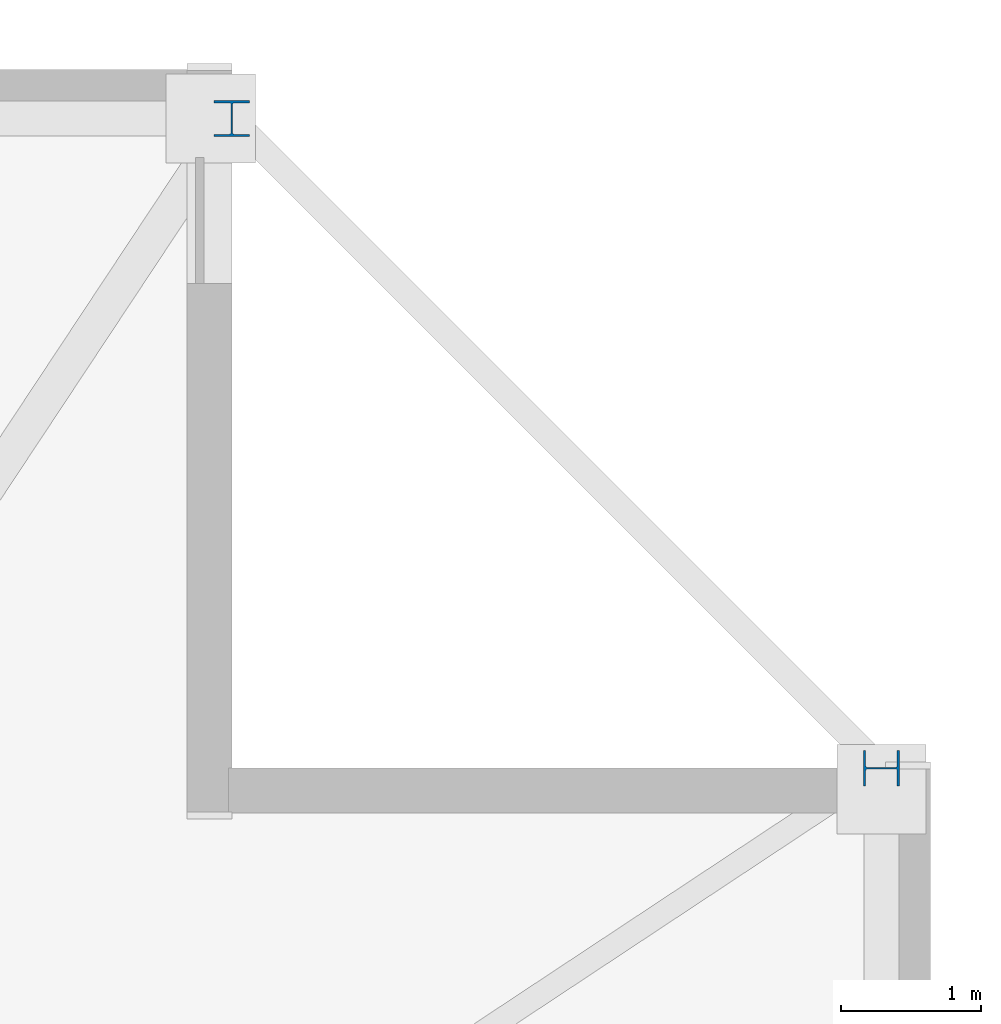
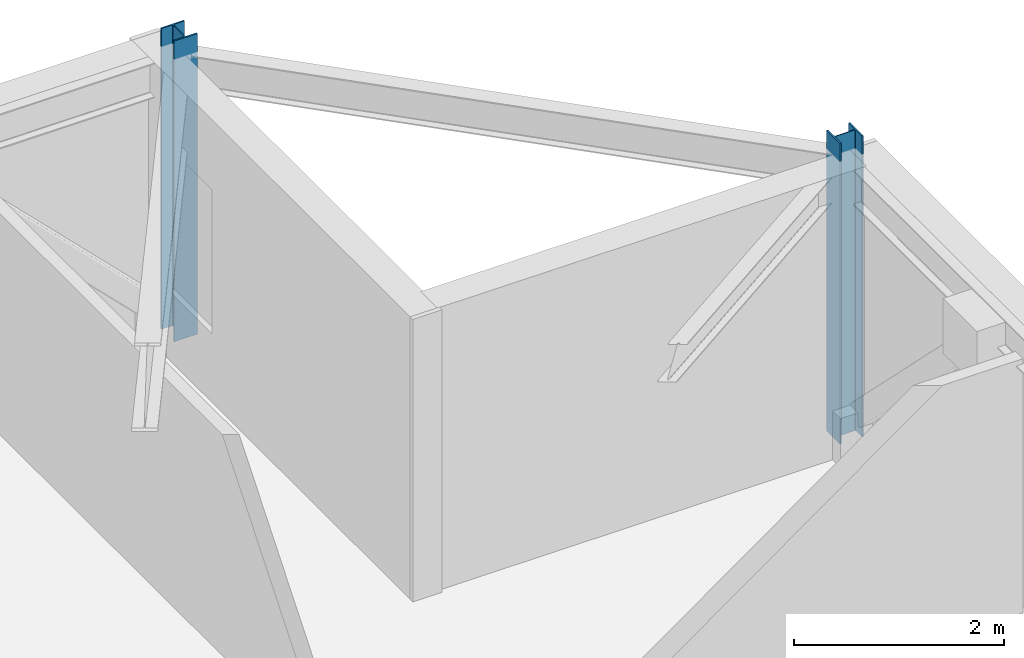
# One storey, part 5 of 17: 2 columns.
"""IFC4 building model written with IfcOpenShell, lengths in metres."""

from ifc_helpers import new_model, si_unit, direction, frame, origin, origin_2d, place, context, subcontext, project, spatial, i_section, extrude, material, material_profile, profile_set, type_object, element, save


model = new_model("IFC4")

# Units and contexts
model_context = context("Model", 3, precision=1e-05, world=origin(), true_north=direction((0.0, 1.0)))
body_context = subcontext(model_context, "Body", "Model", "MODEL_VIEW")
ifc_project = project(units=[si_unit("LENGTHUNIT", "METRE"), si_unit("AREAUNIT", "SQUARE_METRE"), si_unit("VOLUMEUNIT", "CUBIC_METRE"), si_unit("PLANEANGLEUNIT", "RADIAN"), si_unit("MASSUNIT", "GRAM", prefix="KILO")], contexts=[model_context])

# Site, building, storey
site_placement = place(None, origin())
site = spatial("IfcSite", under=ifc_project, at=site_placement, CompositionType="ELEMENT")
building_placement = place(site_placement, origin())
building = spatial("IfcBuilding", under=site, at=building_placement, Name="Cairnveth Concourse Tower", CompositionType="ELEMENT")
storey_placement = place(building_placement, frame((0.0, 0.0, 216.5)))
storey = spatial("IfcBuildingStorey", under=building, at=storey_placement, Name="L59", CompositionType="ELEMENT", Elevation=216.5)

# Columns
ifc_material = material(Name="Steel Grade 350", Category="steel")
ifc_material_profile = material_profile(ifc_material, i_section(OverallWidth=0.256103515625, OverallDepth=0.260009765625, WebThickness=0.010498046875, FlangeThickness=0.017333984375, FilletRadius=0.012939453125, at=origin_2d()), Name="250UC89.5")
ifc_profile_set = profile_set([ifc_material_profile], Name="Steel Grade 350")
column_type = type_object("IfcColumnType", Name="UNIVERSAL STEEL COLUMN 250UC89.5", PredefinedType="COLUMN", material=ifc_profile_set)
for number, where, z_axis, x_axis, name in (
    (1, (74.14990234375, 56.5, 0.0), (0.0, 0.0, 1.0), (0.0, 1.0, 0.0), "Column P-E4 L59"),
    (2, (69.5, 61.14990234375, 0.0), (0.0, 0.0, 1.0), (1.0, 0.0, 0.0), "Column P-N1 L59"),
):
    element("IfcColumn", number, at=place(storey_placement, frame(where, z_axis=z_axis, x_axis=x_axis)), inside=storey, type_object=column_type, Name=name, PredefinedType="COLUMN", context=body_context, shape_type="SweptSolid", body=[
        extrude(i_section(OverallWidth=0.256103515625, OverallDepth=0.260009765625, WebThickness=0.010498046875, FlangeThickness=0.017333984375, FilletRadius=0.012939453125, at=origin_2d()), origin(), (0.0, 0.0, 1.0), 3.5),
    ])

save(model, "model.ifc")
